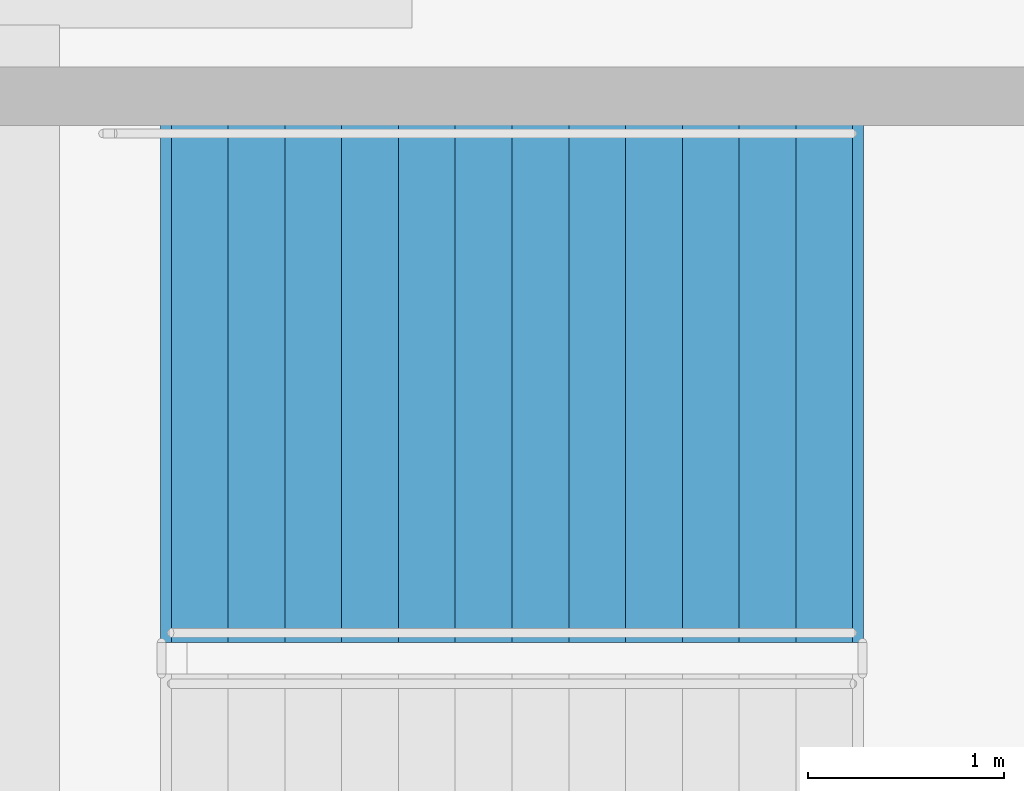
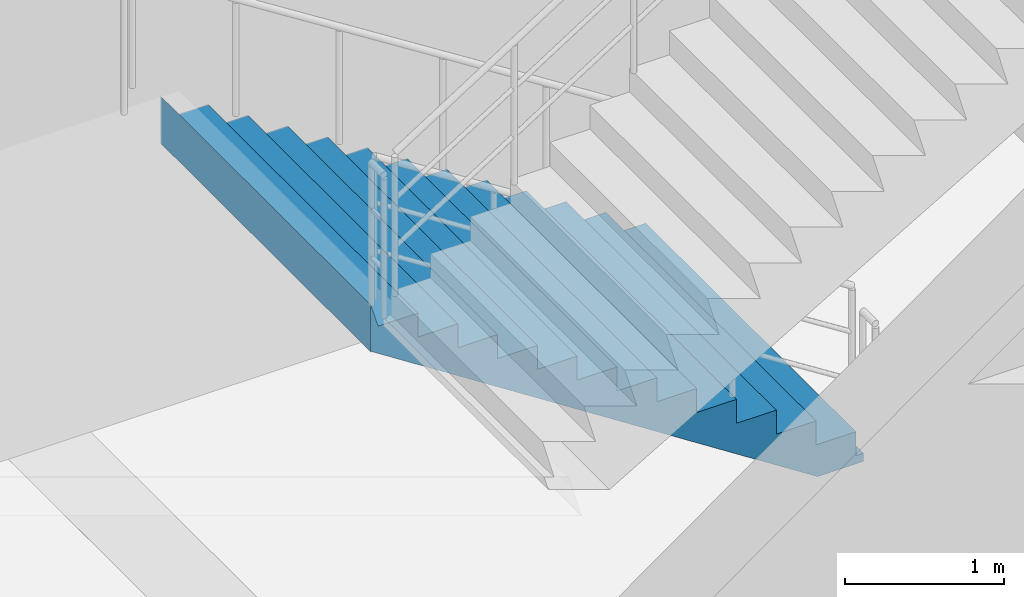
# One storey, part 45 of 68: 1 stair flight, 1 element without a shape of its own.
"""IFC4 building model written with IfcOpenShell, lengths in metres."""

from ifc_helpers import new_model, si_unit, direction, frame, origin, place, context, subcontext, project, spatial, polyline, outline, extrude, material, type_object, element, aggregate, save


model = new_model("IFC4")

# Units and contexts
model_context = context("Model", 3, precision=1e-05, world=origin(), true_north=direction((0.0, 1.0)))
body_context = subcontext(model_context, "Body", "Model", "MODEL_VIEW")
ifc_project = project(units=[si_unit("LENGTHUNIT", "METRE"), si_unit("AREAUNIT", "SQUARE_METRE"), si_unit("VOLUMEUNIT", "CUBIC_METRE"), si_unit("PLANEANGLEUNIT", "RADIAN"), si_unit("MASSUNIT", "GRAM", prefix="KILO")], contexts=[model_context])

# Site, building, storey
site_placement = place(None, origin())
site = spatial("IfcSite", under=ifc_project, at=site_placement, CompositionType="ELEMENT")
building_placement = place(site_placement, origin())
building = spatial("IfcBuilding", under=site, at=building_placement, Name="Cinderbank Siding Concert Hall", CompositionType="ELEMENT")
storey_placement = place(building_placement, frame((0.0, 0.0, -4.800048828125)))
storey = spatial("IfcBuildingStorey", under=building, at=storey_placement, Name="B1", CompositionType="ELEMENT", Elevation=-4.800048828125)

# Stair, stair flight
ifc_material = material(Name="Reinforced concrete AS 3600 N50 (50 MPa)", Category="concrete")
stair_type = type_object("IfcStairType", Name="STR-A Dogleg Exit Stair 2650mm", PredefinedType="HALF_TURN_STAIR", material=ifc_material)
stair_placement = place(storey_placement, origin())
stair = element("IfcStair", 1, at=stair_placement, inside=storey, type_object=stair_type, Name="B1 Chamber Pavilion Exit Stair ST-06", PredefinedType="HALF_TURN_STAIR")
stair_flight_type = type_object("IfcStairFlightType", Name="SFL-A Concrete Stair Flight 2650mm", PredefinedType="STRAIGHT", material=ifc_material)
stair_flight_placement = place(storey_placement, frame((16.75, 32.93505859375, 0.0), z_axis=(0.0, 0.0, 1.0), x_axis=(-1.0, 0.0, 0.0)))
stair_flight = element("IfcStairFlight", 2, at=stair_flight_placement, type_object=stair_flight_type, Name="ST-06 flight 1", NumberOfRisers=13, NumberOfTreads=12, PredefinedType="STRAIGHT", RiserHeight=0.184615385, TreadLength=0.29, context=body_context, shape_type="SweptSolid", body=[
    extrude(outline(polyline([(0.0, 0.0), (0.0, 0.1845703125), (0.2900390625, 0.1845703125), (0.2900390625, 0.369140625), (0.580078125, 0.369140625), (0.580078125, 0.553955078125), (0.8701171875, 0.553955078125), (0.8701171875, 0.738525390625), (1.159912109375, 0.738525390625), (1.159912109375, 0.923095703125), (1.449951171875, 0.923095703125), (1.449951171875, 1.107666015625), (1.739990234375, 1.107666015625), (1.739990234375, 1.292236328125), (2.030029296875, 1.292236328125), (2.030029296875, 1.476806640625), (2.320068359375, 1.476806640625), (2.320068359375, 1.66162109375), (2.610107421875, 1.66162109375), (2.610107421875, 1.84619140625), (2.89990234375, 1.84619140625), (2.89990234375, 2.03076171875), (3.18994140625, 2.03076171875), (3.18994140625, 2.21533203125), (3.47998046875, 2.21533203125), (3.534912109375, 2.39990234375), (3.534912109375, 2.03759765625), (3.53466796875, 2.037841796875), (3.53466796875, 2.0380859375), (3.53466796875, 2.038330078125), (3.53466796875, 2.03857421875), (3.53466796875, 2.038818359375), (3.53466796875, 2.0390625), (3.53466796875, 2.039306640625), (3.53466796875, 2.03955078125), (3.53466796875, 2.039794921875), (3.53466796875, 2.0400390625), (3.53466796875, 2.040283203125), (3.53466796875, 2.04052734375), (3.534423828125, 2.04052734375), (3.534423828125, 2.040283203125), (3.534423828125, 2.0400390625), (3.534423828125, 2.039794921875), (3.534423828125, 2.03955078125), (3.534423828125, 2.039306640625), (3.534423828125, 2.0390625), (3.534423828125, 2.038818359375), (3.534423828125, 2.03857421875), (3.534423828125, 2.038330078125), (3.534423828125, 2.0380859375), (3.534423828125, 2.037841796875), (3.534423828125, 2.03759765625), (3.5341796875, 2.037841796875), (3.5341796875, 2.0380859375), (3.5341796875, 2.038330078125), (3.5341796875, 2.03857421875), (3.5341796875, 2.038818359375), (3.5341796875, 2.0390625), (3.5341796875, 2.039306640625), (3.5341796875, 2.03955078125), (3.5341796875, 2.039794921875), (3.5341796875, 2.0400390625), (3.5341796875, 2.040283203125), (3.5341796875, 2.04052734375), (3.533935546875, 2.04052734375), (3.533935546875, 2.040283203125), (3.533935546875, 2.0400390625), (3.533935546875, 2.039794921875), (3.533935546875, 2.03955078125), (3.533935546875, 2.039306640625), (3.533935546875, 2.0390625), (3.533935546875, 2.038818359375), (3.533935546875, 2.03857421875), (3.533935546875, 2.038330078125), (3.533935546875, 2.0380859375), (3.533935546875, 2.037841796875), (3.533935546875, 2.03759765625), (3.53369140625, 2.037841796875), (3.53369140625, 2.0380859375), (3.53369140625, 2.038330078125), (3.53369140625, 2.03857421875), (3.53369140625, 2.038818359375), (3.53369140625, 2.0390625), (3.53369140625, 2.039306640625), (3.53369140625, 2.03955078125), (3.53369140625, 2.039794921875), (3.53369140625, 2.0400390625), (3.53369140625, 2.040283203125), (3.53369140625, 2.04052734375), (3.533447265625, 2.04052734375), (3.533447265625, 2.040283203125), (3.533447265625, 2.0400390625), (3.533447265625, 2.039794921875), (3.533447265625, 2.03955078125), (3.533447265625, 2.039306640625), (3.533447265625, 2.0390625), (3.533447265625, 2.038818359375), (3.533447265625, 2.03857421875), (3.533447265625, 2.038330078125), (3.533447265625, 2.0380859375), (3.533447265625, 2.037841796875), (3.533447265625, 2.03759765625), (3.533203125, 2.037841796875), (3.533203125, 2.0380859375), (3.533203125, 2.038330078125), (3.533203125, 2.03857421875), (3.533203125, 2.038818359375), (3.533203125, 2.0390625), (3.533203125, 2.039306640625), (3.533203125, 2.03955078125), (3.533203125, 2.039794921875), (3.533203125, 2.0400390625), (3.533203125, 2.040283203125), (3.533203125, 2.04052734375), (3.532958984375, 2.04052734375), (3.532958984375, 2.040283203125), (3.532958984375, 2.0400390625), (3.532958984375, 2.039794921875), (3.532958984375, 2.03955078125), (3.532958984375, 2.039306640625), (3.532958984375, 2.0390625), (3.532958984375, 2.038818359375), (3.532958984375, 2.03857421875), (3.532958984375, 2.038330078125), (3.532958984375, 2.0380859375), (3.532958984375, 2.037841796875), (3.532958984375, 2.03759765625), (3.53271484375, 2.037841796875), (3.53271484375, 2.0380859375), (3.53271484375, 2.038330078125), (3.53271484375, 2.03857421875), (3.53271484375, 2.038818359375), (3.53271484375, 2.0390625), (3.53271484375, 2.039306640625), (3.53271484375, 2.03955078125), (3.53271484375, 2.039794921875), (3.53271484375, 2.0400390625), (3.53271484375, 2.040283203125), (3.53271484375, 2.04052734375), (3.532470703125, 2.04052734375), (3.532470703125, 2.040283203125), (3.532470703125, 2.0400390625), (3.532470703125, 2.039794921875), (3.532470703125, 2.03955078125), (3.532470703125, 2.039306640625), (3.532470703125, 2.0390625), (3.532470703125, 2.038818359375), (3.532470703125, 2.03857421875), (3.532470703125, 2.038330078125), (3.532470703125, 2.0380859375), (3.532470703125, 2.037841796875), (3.532470703125, 2.03759765625), (3.5322265625, 2.037841796875), (3.5322265625, 2.0380859375), (3.5322265625, 2.038330078125), (3.5322265625, 2.03857421875), (3.5322265625, 2.038818359375), (3.5322265625, 2.0390625), (3.5322265625, 2.039306640625), (3.5322265625, 2.03955078125), (3.5322265625, 2.039794921875), (3.5322265625, 2.0400390625), (3.5322265625, 2.040283203125), (3.5322265625, 2.04052734375), (3.531982421875, 2.04052734375), (3.531982421875, 2.040283203125), (3.531982421875, 2.0400390625), (3.531982421875, 2.039794921875), (3.531982421875, 2.03955078125), (3.531982421875, 2.039306640625), (3.531982421875, 2.0390625), (3.531982421875, 2.038818359375), (3.531982421875, 2.03857421875), (3.531982421875, 2.038330078125), (3.531982421875, 2.0380859375), (3.531982421875, 2.037841796875), (3.531982421875, 2.03759765625), (3.53173828125, 2.037841796875), (3.53173828125, 2.0380859375), (3.53173828125, 2.038330078125), (3.53173828125, 2.03857421875), (3.53173828125, 2.038818359375), (3.53173828125, 2.0390625), (3.53173828125, 2.039306640625), (3.53173828125, 2.03955078125), (3.53173828125, 2.039794921875), (3.53173828125, 2.0400390625), (3.53173828125, 2.040283203125), (3.53173828125, 2.04052734375), (3.531494140625, 2.04052734375), (3.531494140625, 2.040283203125), (3.531494140625, 2.0400390625), (3.531494140625, 2.039794921875), (3.531494140625, 2.03955078125), (3.531494140625, 2.039306640625), (3.531494140625, 2.0390625), (3.531494140625, 2.038818359375), (3.531494140625, 2.03857421875), (3.531494140625, 2.038330078125), (3.531494140625, 2.0380859375), (3.531494140625, 2.037841796875), (3.531494140625, 2.03759765625), (3.53125, 2.037841796875), (3.53125, 2.0380859375), (3.53125, 2.038330078125), (3.53125, 2.03857421875), (3.53125, 2.038818359375), (3.53125, 2.0390625), (3.53125, 2.039306640625), (3.53125, 2.03955078125), (3.53125, 2.039794921875), (3.53125, 2.0400390625), (3.53125, 2.040283203125), (3.53125, 2.04052734375), (3.531005859375, 2.04052734375), (3.531005859375, 2.040283203125), (3.531005859375, 2.0400390625), (3.531005859375, 2.039794921875), (3.531005859375, 2.03955078125), (3.531005859375, 2.039306640625), (3.531005859375, 2.0390625), (3.531005859375, 2.038818359375), (3.531005859375, 2.03857421875), (3.531005859375, 2.038330078125), (3.531005859375, 2.0380859375), (3.531005859375, 2.037841796875), (3.531005859375, 2.03759765625), (3.53076171875, 2.037841796875), (3.53076171875, 2.0380859375), (3.53076171875, 2.038330078125), (3.53076171875, 2.03857421875), (3.53076171875, 2.038818359375), (3.53076171875, 2.0390625), (3.53076171875, 2.039306640625), (3.53076171875, 2.03955078125), (3.53076171875, 2.039794921875), (3.53076171875, 2.0400390625), (3.53076171875, 2.040283203125), (3.53076171875, 2.04052734375), (3.530517578125, 2.04052734375), (3.530517578125, 2.040283203125), (3.530517578125, 2.0400390625), (3.530517578125, 2.039794921875), (3.530517578125, 2.03955078125), (3.530517578125, 2.039306640625), (3.530517578125, 2.0390625), (3.530517578125, 2.038818359375), (3.530517578125, 2.03857421875), (3.530517578125, 2.038330078125), (3.530517578125, 2.0380859375), (3.530517578125, 2.037841796875), (3.530517578125, 2.03759765625), (3.5302734375, 2.037841796875), (3.5302734375, 2.0380859375), (3.5302734375, 2.038330078125), (3.5302734375, 2.03857421875), (3.5302734375, 2.038818359375), (3.5302734375, 2.0390625), (3.5302734375, 2.039306640625), (3.5302734375, 2.03955078125), (3.5302734375, 2.039794921875), (3.5302734375, 2.0400390625), (3.5302734375, 2.040283203125), (3.5302734375, 2.04052734375), (3.530029296875, 2.04052734375), (3.530029296875, 2.040283203125), (3.530029296875, 2.0400390625), (3.530029296875, 2.039794921875), (3.530029296875, 2.03955078125), (3.530029296875, 2.039306640625), (3.530029296875, 2.0390625), (3.530029296875, 2.038818359375), (3.530029296875, 2.03857421875), (3.530029296875, 2.038330078125), (3.530029296875, 2.0380859375), (3.530029296875, 2.037841796875), (3.530029296875, 2.03759765625), (3.52978515625, 2.037841796875), (3.52978515625, 2.0380859375), (3.52978515625, 2.038330078125), (3.52978515625, 2.03857421875), (3.52978515625, 2.038818359375), (3.52978515625, 2.0390625), (3.52978515625, 2.039306640625), (3.52978515625, 2.03955078125), (3.52978515625, 2.039794921875), (3.52978515625, 2.0400390625), (3.52978515625, 2.040283203125), (3.52978515625, 2.04052734375), (3.529541015625, 2.04052734375), (3.529541015625, 2.040283203125), (3.529541015625, 2.0400390625), (3.529541015625, 2.039794921875), (3.529541015625, 2.03955078125), (3.529541015625, 2.039306640625), (3.529541015625, 2.0390625), (3.529541015625, 2.038818359375), (3.529541015625, 2.03857421875), (3.529541015625, 2.038330078125), (3.529541015625, 2.0380859375), (3.529541015625, 2.037841796875), (3.529541015625, 2.03759765625), (3.529296875, 2.037841796875), (3.529296875, 2.0380859375), (3.529296875, 2.038330078125), (3.529296875, 2.03857421875), (3.529296875, 2.038818359375), (3.529296875, 2.0390625), (3.529296875, 2.039306640625), (3.529296875, 2.03955078125), (3.529296875, 2.039794921875), (3.529296875, 2.0400390625), (3.529296875, 2.040283203125), (3.529296875, 2.04052734375), (3.529052734375, 2.04052734375), (3.529052734375, 2.040283203125), (3.529052734375, 2.0400390625), (3.529052734375, 2.039794921875), (3.529052734375, 2.03955078125), (3.529052734375, 2.039306640625), (3.529052734375, 2.0390625), (3.529052734375, 2.038818359375), (3.529052734375, 2.03857421875), (3.529052734375, 2.038330078125), (3.529052734375, 2.0380859375), (3.529052734375, 2.037841796875), (3.529052734375, 2.03759765625), (3.52880859375, 2.037841796875), (3.52880859375, 2.0380859375), (3.52880859375, 2.038330078125), (3.52880859375, 2.03857421875), (3.52880859375, 2.038818359375), (3.52880859375, 2.0390625), (3.52880859375, 2.039306640625), (3.52880859375, 2.03955078125), (3.52880859375, 2.039794921875), (3.52880859375, 2.0400390625), (3.52880859375, 2.040283203125), (3.52880859375, 2.04052734375), (3.528564453125, 2.04052734375), (3.528564453125, 2.040283203125), (3.528564453125, 2.0400390625), (3.528564453125, 2.039794921875), (3.528564453125, 2.03955078125), (3.528564453125, 2.039306640625), (3.528564453125, 2.0390625), (3.528564453125, 2.038818359375), (3.528564453125, 2.03857421875), (3.528564453125, 2.038330078125), (3.528564453125, 2.0380859375), (3.528564453125, 2.037841796875), (3.528564453125, 2.03759765625), (0.279052734375, -0.06396484375), (-0.048583984375, -0.063720703125), (-0.048583984375, -0.0634765625), (-0.048583984375, -0.063232421875), (-0.048583984375, -0.06298828125), (-0.048583984375, -0.062744140625), (-0.048583984375, -0.0625), (-0.048583984375, -0.062255859375), (-0.048583984375, -0.06201171875), (-0.048583984375, -0.061767578125), (-0.048583984375, -0.0615234375), (-0.048583984375, -0.061279296875), (-0.048583984375, -0.06103515625), (-0.048828125, -0.06103515625), (-0.048828125, -0.061279296875), (-0.048828125, -0.0615234375), (-0.048828125, -0.061767578125), (-0.048828125, -0.06201171875), (-0.048828125, -0.062255859375), (-0.048828125, -0.0625), (-0.048828125, -0.062744140625), (-0.048828125, -0.06298828125), (-0.048828125, -0.063232421875), (-0.048828125, -0.0634765625), (-0.048828125, -0.063720703125), (-0.048828125, -0.06396484375), (-0.049072265625, -0.063720703125), (-0.049072265625, -0.0634765625), (-0.049072265625, -0.063232421875), (-0.049072265625, -0.06298828125), (-0.049072265625, -0.062744140625), (-0.049072265625, -0.0625), (-0.049072265625, -0.062255859375), (-0.049072265625, -0.06201171875), (-0.049072265625, -0.061767578125), (-0.049072265625, -0.0615234375), (-0.049072265625, -0.061279296875), (-0.049072265625, -0.06103515625), (-0.04931640625, -0.06103515625), (-0.04931640625, -0.061279296875), (-0.04931640625, -0.0615234375), (-0.04931640625, -0.061767578125), (-0.04931640625, -0.06201171875), (-0.04931640625, -0.062255859375), (-0.04931640625, -0.0625), (-0.04931640625, -0.062744140625), (-0.04931640625, -0.06298828125), (-0.04931640625, -0.063232421875), (-0.04931640625, -0.0634765625), (-0.04931640625, -0.063720703125), (-0.04931640625, -0.06396484375), (-0.049560546875, -0.063720703125), (-0.049560546875, -0.0634765625), (-0.049560546875, -0.063232421875), (-0.049560546875, -0.06298828125), (-0.049560546875, -0.062744140625), (-0.049560546875, -0.0625), (-0.049560546875, -0.062255859375), (-0.049560546875, -0.06201171875), (-0.049560546875, -0.061767578125), (-0.049560546875, -0.0615234375), (-0.049560546875, -0.061279296875), (-0.049560546875, -0.06103515625), (-0.0498046875, -0.06103515625), (-0.0498046875, -0.061279296875), (-0.0498046875, -0.0615234375), (-0.0498046875, -0.061767578125), (-0.0498046875, -0.06201171875), (-0.0498046875, -0.062255859375), (-0.0498046875, -0.0625), (-0.0498046875, -0.062744140625), (-0.0498046875, -0.06298828125), (-0.0498046875, -0.063232421875), (-0.0498046875, -0.0634765625), (-0.0498046875, -0.063720703125), (-0.0498046875, -0.06396484375), (-0.050048828125, -0.063720703125), (-0.050048828125, -0.0634765625), (-0.050048828125, -0.063232421875), (-0.050048828125, -0.06298828125), (-0.050048828125, -0.062744140625), (-0.050048828125, -0.0625), (-0.050048828125, -0.062255859375), (-0.050048828125, -0.06201171875), (-0.050048828125, -0.061767578125), (-0.050048828125, -0.0615234375), (-0.050048828125, -0.061279296875), (-0.050048828125, -0.06103515625), (-0.05029296875, -0.06103515625), (-0.05029296875, -0.061279296875), (-0.05029296875, -0.0615234375), (-0.05029296875, -0.061767578125), (-0.05029296875, -0.06201171875), (-0.05029296875, -0.062255859375), (-0.05029296875, -0.0625), (-0.05029296875, -0.062744140625), (-0.05029296875, -0.06298828125), (-0.05029296875, -0.063232421875), (-0.05029296875, -0.0634765625), (-0.05029296875, -0.063720703125), (-0.05029296875, -0.06396484375), (-0.050537109375, -0.063720703125), (-0.050537109375, -0.0634765625), (-0.050537109375, -0.063232421875), (-0.050537109375, -0.06298828125), (-0.050537109375, -0.062744140625), (-0.050537109375, -0.0625), (-0.050537109375, -0.062255859375), (-0.050537109375, -0.06201171875), (-0.050537109375, -0.061767578125), (-0.050537109375, -0.0615234375), (-0.050537109375, -0.061279296875), (-0.050537109375, -0.06103515625), (-0.05078125, -0.06103515625), (-0.05078125, -0.061279296875), (-0.05078125, -0.0615234375), (-0.05078125, -0.061767578125), (-0.05078125, -0.06201171875), (-0.05078125, -0.062255859375), (-0.05078125, -0.0625), (-0.05078125, -0.062744140625), (-0.05078125, -0.06298828125), (-0.05078125, -0.063232421875), (-0.05078125, -0.0634765625), (-0.05078125, -0.063720703125), (-0.05078125, -0.06396484375), (-0.051025390625, -0.063720703125), (-0.051025390625, -0.0634765625), (-0.051025390625, -0.063232421875), (-0.051025390625, -0.06298828125), (-0.051025390625, -0.062744140625), (-0.051025390625, -0.0625), (-0.051025390625, -0.062255859375), (-0.051025390625, -0.06201171875), (-0.051025390625, -0.061767578125), (-0.051025390625, -0.0615234375), (-0.051025390625, -0.061279296875), (-0.051025390625, -0.06103515625), (-0.05126953125, -0.06103515625), (-0.05126953125, -0.061279296875), (-0.05126953125, -0.0615234375), (-0.05126953125, -0.061767578125), (-0.05126953125, -0.06201171875), (-0.05126953125, -0.062255859375), (-0.05126953125, -0.0625), (-0.05126953125, -0.062744140625), (-0.05126953125, -0.06298828125), (-0.05126953125, -0.063232421875), (-0.05126953125, -0.0634765625), (-0.05126953125, -0.063720703125), (-0.05126953125, -0.06396484375), (-0.051513671875, -0.063720703125), (-0.051513671875, -0.0634765625), (-0.051513671875, -0.063232421875), (-0.051513671875, -0.06298828125), (-0.051513671875, -0.062744140625), (-0.051513671875, -0.0625), (-0.051513671875, -0.062255859375), (-0.051513671875, -0.06201171875), (-0.051513671875, -0.061767578125), (-0.051513671875, -0.0615234375), (-0.051513671875, -0.061279296875), (-0.051513671875, -0.06103515625), (-0.0517578125, -0.06103515625), (-0.0517578125, -0.061279296875), (-0.0517578125, -0.0615234375), (-0.0517578125, -0.061767578125), (-0.0517578125, -0.06201171875), (-0.0517578125, -0.062255859375), (-0.0517578125, -0.0625), (-0.0517578125, -0.062744140625), (-0.0517578125, -0.06298828125), (-0.0517578125, -0.063232421875), (-0.0517578125, -0.0634765625), (-0.0517578125, -0.063720703125), (-0.0517578125, -0.06396484375), (-0.052001953125, -0.063720703125), (-0.052001953125, -0.0634765625), (-0.052001953125, -0.063232421875), (-0.052001953125, -0.06298828125), (-0.052001953125, -0.062744140625), (-0.052001953125, -0.0625), (-0.052001953125, -0.062255859375), (-0.052001953125, -0.06201171875), (-0.052001953125, -0.061767578125), (-0.052001953125, -0.0615234375), (-0.052001953125, -0.061279296875), (-0.052001953125, -0.06103515625), (-0.05224609375, -0.06103515625), (-0.05224609375, -0.061279296875), (-0.05224609375, -0.0615234375), (-0.05224609375, -0.061767578125), (-0.05224609375, -0.06201171875), (-0.05224609375, -0.062255859375), (-0.05224609375, -0.0625), (-0.05224609375, -0.062744140625), (-0.05224609375, -0.06298828125), (-0.05224609375, -0.063232421875), (-0.05224609375, -0.0634765625), (-0.05224609375, -0.063720703125), (-0.05224609375, -0.06396484375), (-0.052490234375, -0.063720703125), (-0.052490234375, -0.0634765625), (-0.052490234375, -0.063232421875), (-0.052490234375, -0.06298828125), (-0.052490234375, -0.062744140625), (-0.052490234375, -0.0625), (-0.052490234375, -0.062255859375), (-0.052490234375, -0.06201171875), (-0.052490234375, -0.061767578125), (-0.052490234375, -0.0615234375), (-0.052490234375, -0.061279296875), (-0.052490234375, -0.06103515625), (-0.052734375, -0.06103515625), (-0.052734375, -0.061279296875), (-0.052734375, -0.0615234375), (-0.052734375, -0.061767578125), (-0.052734375, -0.06201171875), (-0.052734375, -0.062255859375), (-0.052734375, -0.0625), (-0.052734375, -0.062744140625), (-0.052734375, -0.06298828125), (-0.052734375, -0.063232421875), (-0.052734375, -0.0634765625), (-0.052734375, -0.063720703125), (-0.052734375, -0.06396484375), (-0.052978515625, -0.063720703125), (-0.052978515625, -0.0634765625), (-0.052978515625, -0.063232421875), (-0.052978515625, -0.06298828125), (-0.052978515625, -0.062744140625), (-0.052978515625, -0.0625), (-0.052978515625, -0.062255859375), (-0.052978515625, -0.06201171875), (-0.052978515625, -0.061767578125), (-0.052978515625, -0.0615234375), (-0.052978515625, -0.061279296875), (-0.052978515625, -0.06103515625), (-0.05322265625, -0.06103515625), (-0.05322265625, -0.061279296875), (-0.05322265625, -0.0615234375), (-0.05322265625, -0.061767578125), (-0.05322265625, -0.06201171875), (-0.05322265625, -0.062255859375), (-0.05322265625, -0.0625), (-0.05322265625, -0.062744140625), (-0.05322265625, -0.06298828125), (-0.05322265625, -0.063232421875), (-0.05322265625, -0.0634765625), (-0.05322265625, -0.063720703125), (-0.05322265625, -0.06396484375), (-0.053466796875, -0.063720703125), (-0.053466796875, -0.0634765625), (-0.053466796875, -0.063232421875), (-0.053466796875, -0.06298828125), (-0.053466796875, -0.062744140625), (-0.053466796875, -0.0625), (-0.053466796875, -0.062255859375), (-0.053466796875, -0.06201171875), (-0.053466796875, -0.061767578125), (-0.053466796875, -0.0615234375), (-0.053466796875, -0.061279296875), (-0.053466796875, -0.06103515625), (-0.0537109375, -0.06103515625), (-0.0537109375, -0.061279296875), (-0.0537109375, -0.0615234375), (-0.0537109375, -0.061767578125), (-0.0537109375, -0.06201171875), (-0.0537109375, -0.062255859375), (-0.0537109375, -0.0625), (-0.0537109375, -0.062744140625), (-0.0537109375, -0.06298828125), (-0.0537109375, -0.063232421875), (-0.0537109375, -0.0634765625), (-0.0537109375, -0.063720703125), (-0.0537109375, -0.06396484375), (-0.053955078125, -0.063720703125), (-0.053955078125, -0.0634765625), (-0.053955078125, -0.063232421875), (-0.053955078125, -0.06298828125), (-0.053955078125, -0.062744140625), (-0.053955078125, -0.0625), (-0.053955078125, -0.062255859375), (-0.053955078125, -0.06201171875), (-0.053955078125, -0.061767578125), (-0.053955078125, -0.0615234375), (-0.053955078125, -0.061279296875), (-0.053955078125, -0.06103515625), (-0.05419921875, -0.06103515625), (-0.05419921875, -0.061279296875), (-0.05419921875, -0.0615234375), (-0.05419921875, -0.061767578125), (-0.05419921875, -0.06201171875), (-0.05419921875, -0.062255859375), (-0.05419921875, -0.0625), (-0.05419921875, -0.062744140625), (-0.05419921875, -0.06298828125), (-0.05419921875, -0.063232421875), (-0.05419921875, -0.0634765625), (-0.05419921875, -0.063720703125), (-0.05419921875, -0.06396484375), (-0.054443359375, -0.063720703125), (-0.054443359375, -0.0634765625), (-0.054443359375, -0.063232421875), (-0.054443359375, -0.06298828125), (-0.054443359375, -0.062744140625), (-0.054443359375, -0.0625), (-0.054443359375, -0.062255859375), (-0.054443359375, -0.06201171875), (-0.054443359375, -0.061767578125), (-0.054443359375, -0.0615234375), (-0.054443359375, -0.061279296875), (-0.054443359375, -0.06103515625), (-0.0546875, -0.06103515625), (-0.0546875, -0.061279296875), (-0.0546875, -0.0615234375), (-0.0546875, -0.061767578125), (-0.0546875, -0.06201171875), (-0.0546875, -0.062255859375), (-0.0546875, -0.0625), (-0.0546875, -0.062744140625), (-0.0546875, -0.06298828125), (-0.0546875, -0.063232421875), (-0.0546875, -0.0634765625), (-0.0546875, -0.063720703125), (-0.0546875, -0.06396484375), (-0.054931640625, -0.06396484375), (-0.054931640625, 0.0), (0.0, 0.0)])), frame((0.0, 1.324951171875, 0.0), z_axis=(0.0, -1.0, 0.0), x_axis=(1.0, 0.0, 0.0)), (0.0, 0.0, 1.0), 2.64990234375),
])
aggregate(stair, [stair_flight])

save(model, "model.ifc")
